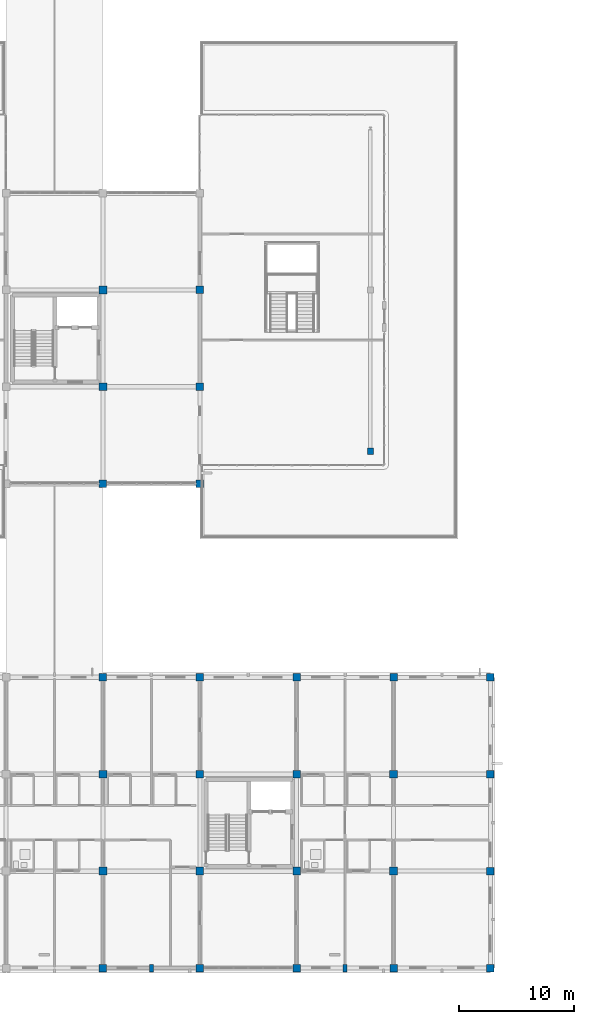
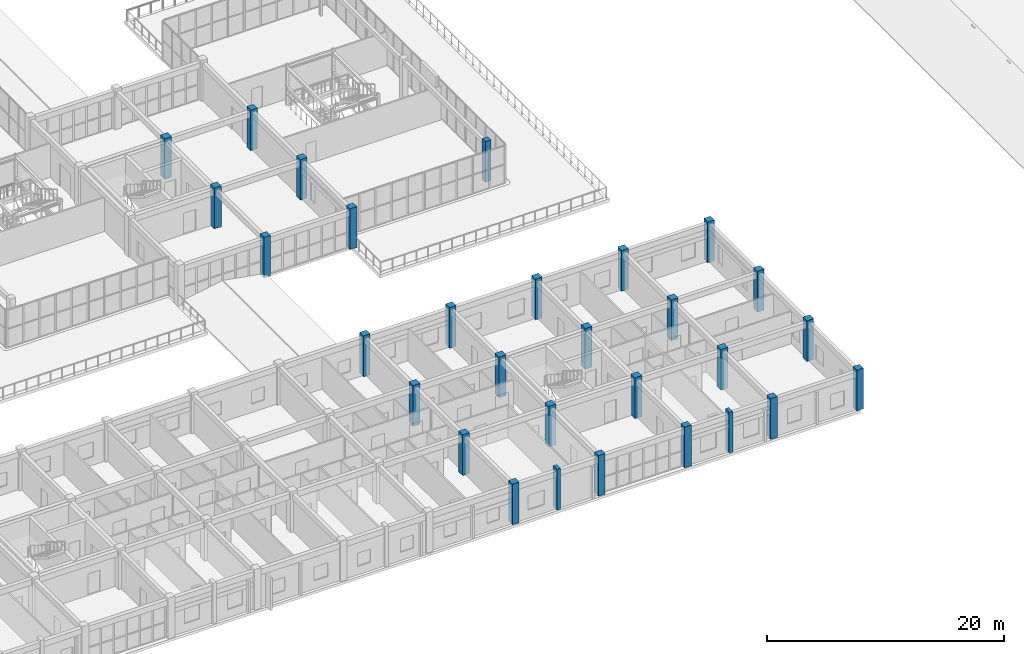
# One storey, part 3 of 90: 29 columns.
"""IFC4 building model written with IfcOpenShell, lengths in metres."""

from ifc_helpers import new_model, si_unit, direction, frame, origin, origin_2d, place, context, subcontext, project, spatial, rectangle, extrude, material, material_profile, profile_set, type_object, element, save


model = new_model("IFC4")

# Units and contexts
model_context = context("Model", 3, precision=1e-05, world=origin(), true_north=direction((0.0, 1.0)))
body_context = subcontext(model_context, "Body", "Model", "MODEL_VIEW")
ifc_project = project(units=[si_unit("LENGTHUNIT", "METRE"), si_unit("AREAUNIT", "SQUARE_METRE"), si_unit("VOLUMEUNIT", "CUBIC_METRE"), si_unit("PLANEANGLEUNIT", "RADIAN"), si_unit("MASSUNIT", "GRAM", prefix="KILO")], contexts=[model_context])

# Site, building, storey
site_placement = place(None, origin())
site = spatial("IfcSite", under=ifc_project, at=site_placement, CompositionType="ELEMENT")
building_placement = place(site_placement, origin())
building = spatial("IfcBuilding", under=site, at=building_placement, Name="Trelvath General Hospital", CompositionType="ELEMENT")
storey_placement = place(building_placement, frame((0.0, 0.0, 20.39990234375)))
storey = spatial("IfcBuildingStorey", under=building, at=storey_placement, Name="L05", CompositionType="ELEMENT", Elevation=20.39990234375)

# Columns
ifc_material_1 = material(Name="Concrete C40/50", Category="concrete")
ifc_material_profile_1 = material_profile(ifc_material_1, rectangle(XDim=0.550048828125, YDim=0.550048828125, at=origin_2d()), Name="RC550x550")
ifc_profile_set_1 = profile_set([ifc_material_profile_1], Name="Concrete C40/50")
column_type_1 = type_object("IfcColumnType", Name="Column RC550", PredefinedType="COLUMN", material=ifc_profile_set_1)
column_placement = place(storey_placement, frame((107.199951171875, 44.800048828125, 0.0), z_axis=(0.0, 0.0, 1.0), x_axis=(1.0, 0.0, 0.0)))
element("IfcColumn", 1, at=column_placement, inside=storey, type_object=column_type_1, Name="Cube Interior Column CC-E01 L05", PredefinedType="COLUMN", context=body_context, shape_type="SweptSolid", body=[
    extrude(rectangle(XDim=0.550048828125, YDim=0.550048828125, at=origin_2d()), origin(), (0.0, 0.0, 1.0), 4.2001953125),
])
ifc_material_2 = material(Name="Concrete C40/50", Category="concrete")
ifc_material_profile_2 = material_profile(ifc_material_2, rectangle(XDim=0.64990234375, YDim=0.64990234375, at=origin_2d()), Name="RC650x650")
ifc_profile_set_2 = profile_set([ifc_material_profile_2], Name="Concrete C40/50")
column_type_2 = type_object("IfcColumnType", Name="Column RC650", PredefinedType="COLUMN", material=ifc_profile_set_2)
for number, where, z_axis, x_axis, name in (
    (2, (84.0, 0.0, 0.0), (0.0, 0.0, 1.0), (1.0, 0.0, 0.0), "Column C-11A L05"),
    (3, (84.0, 25.199951171875, 0.0), (0.0, 0.0, 1.0), (1.0, 0.0, 0.0), "Column C-11D L05"),
    (4, (84.0, 42.0, 0.0), (0.0, 0.0, 1.0), (1.0, 0.0, 0.0), "Column C-11F L05"),
    (5, (92.39990234375, 0.0, 0.0), (0.0, 0.0, 1.0), (1.0, 0.0, 0.0), "Column C-12A L05"),
    (6, (92.39990234375, 25.199951171875, 0.0), (0.0, 0.0, 1.0), (1.0, 0.0, 0.0), "Column C-12D L05"),
    (7, (92.39990234375, 42.0, 0.0), (0.0, 0.0, 1.0), (1.0, 0.0, 0.0), "Column C-12F L05"),
    (8, (92.39990234375, 50.39990234375, 0.0), (0.0, 0.0, 1.0), (1.0, 0.0, 0.0), "Column C-12G L05"),
    (9, (92.39990234375, 58.800048828125, 0.0), (0.0, 0.0, 1.0), (1.0, 0.0, 0.0), "Column C-12H L05"),
    (10, (100.800048828125, 0.0, 0.0), (0.0, 0.0, 1.0), (1.0, 0.0, 0.0), "Column C-13A L05"),
    (11, (100.800048828125, 25.199951171875, 0.0), (0.0, 0.0, 1.0), (1.0, 0.0, 0.0), "Column C-13D L05"),
    (12, (109.199951171875, 0.0, 0.0), (0.0, 0.0, 1.0), (1.0, 0.0, 0.0), "Column C-14A L05"),
    (13, (109.199951171875, 25.199951171875, 0.0), (0.0, 0.0, 1.0), (1.0, 0.0, 0.0), "Column C-14D L05"),
    (14, (117.60009765625, 0.0, 0.0), (0.0, 0.0, 1.0), (1.0, 0.0, 0.0), "Column C-15A L05"),
    (15, (117.60009765625, 8.39990234375, 0.0), (0.0, 0.0, 1.0), (1.0, 0.0, 0.0), "Column C-15B L05"),
    (16, (117.60009765625, 16.800048828125, 0.0), (0.0, 0.0, 1.0), (1.0, 0.0, 0.0), "Column C-15C L05"),
    (17, (117.60009765625, 25.199951171875, 0.0), (0.0, 0.0, 1.0), (1.0, 0.0, 0.0), "Column C-15D L05"),
):
    element("IfcColumn", number, at=place(storey_placement, frame(where, z_axis=z_axis, x_axis=x_axis)), inside=storey, type_object=column_type_2, Name=name, PredefinedType="COLUMN", context=body_context, shape_type="SweptSolid", body=[
        extrude(rectangle(XDim=0.64990234375, YDim=0.64990234375, at=origin_2d()), origin(), (0.0, 0.0, 1.0), 4.2001953125),
    ])
ifc_material_3 = material(Name="Concrete C40/50", Category="concrete")
ifc_material_profile_3 = material_profile(ifc_material_3, rectangle(XDim=0.679931640625, YDim=0.679931640625, at=origin_2d()), Name="RC680x680")
ifc_profile_set_3 = profile_set([ifc_material_profile_3], Name="Concrete C40/50")
column_type_3 = type_object("IfcColumnType", Name="Column RC680", PredefinedType="COLUMN", material=ifc_profile_set_3)
for number, where, z_axis, x_axis, name in (
    (18, (84.0, 8.39990234375, 0.0), (0.0, 0.0, 1.0), (1.0, 0.0, 0.0), "Column C-11B L05"),
    (19, (84.0, 16.800048828125, 0.0), (0.0, 0.0, 1.0), (1.0, 0.0, 0.0), "Column C-11C L05"),
    (20, (84.0, 50.39990234375, 0.0), (0.0, 0.0, 1.0), (1.0, 0.0, 0.0), "Column C-11G L05"),
    (21, (84.0, 58.800048828125, 0.0), (0.0, 0.0, 1.0), (1.0, 0.0, 0.0), "Column C-11H L05"),
    (22, (92.39990234375, 8.39990234375, 0.0), (0.0, 0.0, 1.0), (1.0, 0.0, 0.0), "Column C-12B L05"),
    (23, (92.39990234375, 16.800048828125, 0.0), (0.0, 0.0, 1.0), (1.0, 0.0, 0.0), "Column C-12C L05"),
    (24, (100.800048828125, 8.39990234375, 0.0), (0.0, 0.0, 1.0), (1.0, 0.0, 0.0), "Column C-13B L05"),
    (25, (100.800048828125, 16.800048828125, 0.0), (0.0, 0.0, 1.0), (1.0, 0.0, 0.0), "Column C-13C L05"),
    (26, (109.199951171875, 8.39990234375, 0.0), (0.0, 0.0, 1.0), (1.0, 0.0, 0.0), "Column C-14B L05"),
    (27, (109.199951171875, 16.800048828125, 0.0), (0.0, 0.0, 1.0), (1.0, 0.0, 0.0), "Column C-14C L05"),
):
    element("IfcColumn", number, at=place(storey_placement, frame(where, z_axis=z_axis, x_axis=x_axis)), inside=storey, type_object=column_type_3, Name=name, PredefinedType="COLUMN", context=body_context, shape_type="SweptSolid", body=[
        extrude(rectangle(XDim=0.679931640625, YDim=0.679931640625, at=origin_2d()), origin(), (0.0, 0.0, 1.0), 4.2001953125),
    ])
ifc_material_4 = material(Name="Concrete C40/50", Category="concrete")
ifc_material_profile_4 = material_profile(ifc_material_4, rectangle(XDim=0.35009765625, YDim=0.64990234375, at=origin_2d()), Name="RC350x650")
ifc_profile_set_4 = profile_set([ifc_material_profile_4], Name="Concrete C40/50")
column_type_4 = type_object("IfcColumnType", Name="Pilaster RC350x650", PredefinedType="PILASTER", material=ifc_profile_set_4)
for number, where, z_axis, x_axis, name in (
    (28, (88.199951171875, 0.0, 0.0), (0.0, 0.0, 1.0), (1.0, 0.0, 0.0), "Facade Pilaster PL-S10 L05"),
    (29, (105.0, 0.0, 0.0), (0.0, 0.0, 1.0), (1.0, 0.0, 0.0), "Facade Pilaster PL-S12 L05"),
):
    element("IfcColumn", number, at=place(storey_placement, frame(where, z_axis=z_axis, x_axis=x_axis)), inside=storey, type_object=column_type_4, Name=name, PredefinedType="PILASTER", context=body_context, shape_type="SweptSolid", body=[
        extrude(rectangle(XDim=0.35009765625, YDim=0.64990234375, at=origin_2d()), origin(), (0.0, 0.0, 1.0), 4.2001953125),
    ])

save(model, "model.ifc")
